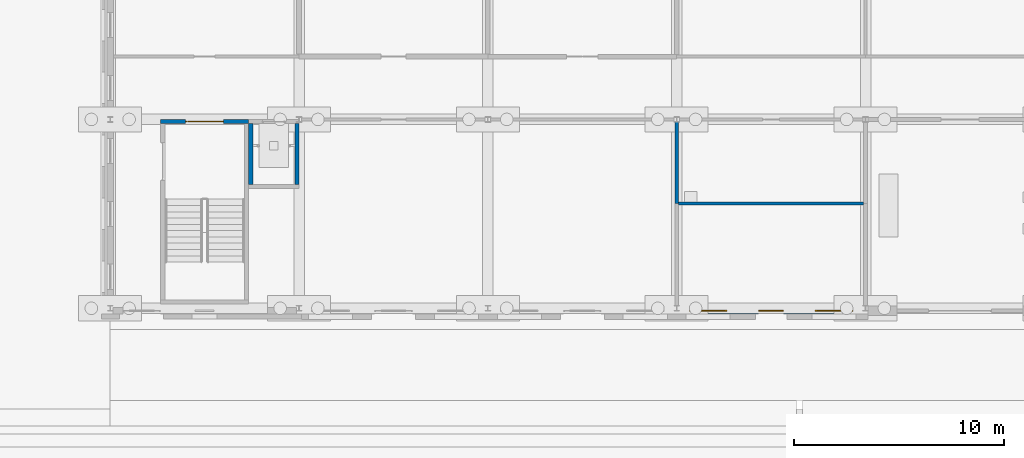
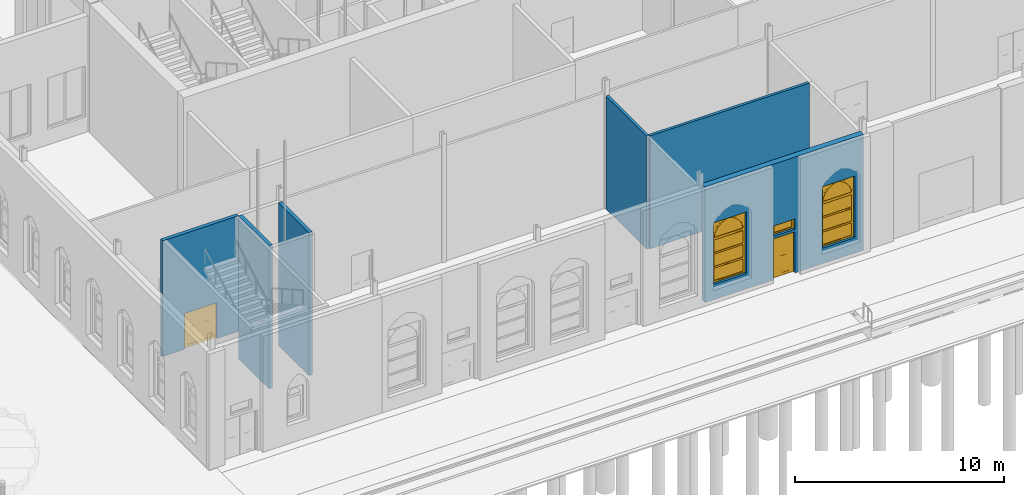
# One storey, part 93 of 250: 6 walls, 3 windows, 2 doors, 5 openings.
"""IFC4 building model written with IfcOpenShell, lengths in metres."""

import ifcopenshell
import ifcopenshell.guid

model = None  # the IFC model being written
_history = None  # IfcOwnerHistory: only IFC2X3 demands one
_inside = {}  # id of a spatial element -> (the spatial element, [elements in it])
_under = {}  # id of a project, library or spatial element -> (it, [spatial elements below it])
_declared = {}  # id of a project -> (the project, [libraries it declares])
_typed = {}  # id of a type object -> (the type object, [elements of that type])
_made_of = {}  # id of a material, layer set ... -> (it, [elements and type objects made of it])


def new_model(schema):
    """Start an empty IFC model of exactly this schema.

    Asked for "IFC4X3", IfcOpenShell would pick the latest addendum, in which some entities
    have other attributes; the version numbers below select the first issue.
    IFC2X3 requires an IfcOwnerHistory on every rooted entity: one is made here for all.
    """
    global model, _history
    if schema == "IFC4X3":
        model = ifcopenshell.file(schema_version=(4, 3, 0, 0))
    else:
        model = ifcopenshell.file(schema=schema)
    _inside.clear()
    _under.clear()
    _declared.clear()
    _typed.clear()
    _made_of.clear()
    _history = None
    if model.schema == "IFC2X3":
        org = make("IfcOrganization", Name="unknown")
        user = make(
            "IfcPersonAndOrganization",
            ThePerson=make("IfcPerson", FamilyName="unknown"),
            TheOrganization=org,
        )
        app = make(
            "IfcApplication",
            ApplicationDeveloper=org,
            Version="unknown",
            ApplicationFullName="unknown",
            ApplicationIdentifier="unknown",
        )
        _history = make(
            "IfcOwnerHistory",
            OwningUser=user,
            OwningApplication=app,
            ChangeAction="ADDED",
            CreationDate=0,
        )
    return model


def make(cls, **values):
    """One entity of the class cls with the attributes given. An attribute that is None is left unset."""
    return model.create_entity(
        cls, **{name: value for name, value in values.items() if value is not None}
    )


def rooted(cls, **values):
    """An entity with a GlobalId (a new one), such as an element, a storey or a relation."""
    return make(cls, GlobalId=ifcopenshell.guid.new(), OwnerHistory=_history, **values)


def si_unit(unit_type, name, prefix=None):
    """IfcSIUnit, for example si_unit("LENGTHUNIT", "METRE", prefix="MILLI")."""
    return make("IfcSIUnit", UnitType=unit_type, Prefix=prefix, Name=name)


def assignment(units):
    """IfcUnitAssignment: the units of a project."""
    return None if units is None else make("IfcUnitAssignment", Units=units)


def point(xyz):
    """IfcCartesianPoint."""
    return None if xyz is None else make("IfcCartesianPoint", Coordinates=xyz)


def direction(xyz):
    """IfcDirection."""
    return None if xyz is None else make("IfcDirection", DirectionRatios=xyz)


def frame(location, z_axis=None, x_axis=None):
    """IfcAxis2Placement3D, a coordinate frame: its origin and axes. An axis left out is left unset."""
    return make(
        "IfcAxis2Placement3D",
        Location=point(location),
        Axis=direction(z_axis),
        RefDirection=direction(x_axis),
    )


def frame_2d(location, x_axis=None):
    """IfcAxis2Placement2D, a coordinate frame in the plane: its origin and x axis."""
    return make(
        "IfcAxis2Placement2D", Location=point(location), RefDirection=direction(x_axis)
    )


def origin():
    """The frame at (0, 0, 0) with its axes left unset."""
    return frame((0.0, 0.0, 0.0))


def place(relative_to, where):
    """IfcLocalPlacement: puts the frame where relative to a parent placement (None: the world)."""
    return make(
        "IfcLocalPlacement", PlacementRelTo=relative_to, RelativePlacement=where
    )


def context(
    kind, dimensions, precision=None, world=None, true_north=None, identifier=None
):
    """IfcGeometricRepresentationContext, for example the 3D "Model" context."""
    return make(
        "IfcGeometricRepresentationContext",
        ContextIdentifier=identifier,
        ContextType=kind,
        CoordinateSpaceDimension=dimensions,
        Precision=precision,
        WorldCoordinateSystem=world,
        TrueNorth=true_north,
    )


def subcontext(parent, identifier, kind, view, scale=None):
    """IfcGeometricRepresentationSubContext, for example "Body" below "Model"."""
    return make(
        "IfcGeometricRepresentationSubContext",
        ContextIdentifier=identifier,
        ContextType=kind,
        ParentContext=parent,
        TargetScale=scale,
        TargetView=view,
    )


def project(units=None, contexts=None):
    """IfcProject with its units and contexts."""
    return rooted(
        "IfcProject",
        Name="project",
        RepresentationContexts=contexts,
        UnitsInContext=assignment(units),
    )


def spatial(cls, under=None, at=None, **own):
    """A site, building, storey or space (cls), placed at a placement, below another one or the project."""
    s = rooted(cls, ObjectPlacement=at, **own)
    if under is not None:
        _under.setdefault(under.id(), (under, []))[1].append(s)
    return s


def polyline(points):
    """IfcPolyline through the points."""
    return make("IfcPolyline", Points=[point(p) for p in points])


def profile(cls, at=None, kind="AREA", **sizes):
    """A parametric profile (cls). Its sizes go by their IFC names, for example OverallWidth=200.0."""
    return make(cls, ProfileType=kind, Position=at, **sizes)


def rectangle(**sizes):
    """IfcRectangleProfileDef."""
    return profile("IfcRectangleProfileDef", **sizes)


def outline(outer, holes=None, kind="AREA"):
    """IfcArbitraryClosedProfileDef: a profile drawn as a closed curve; with holes, ...WithVoids."""
    if holes is None:
        return make("IfcArbitraryClosedProfileDef", ProfileType=kind, OuterCurve=outer)
    return make(
        "IfcArbitraryProfileDefWithVoids",
        ProfileType=kind,
        OuterCurve=outer,
        InnerCurves=holes,
    )


def extrude(swept, where, along, depth):
    """IfcExtrudedAreaSolid: the profile swept, set in the frame where, extruded along a direction by depth."""
    return make(
        "IfcExtrudedAreaSolid",
        SweptArea=swept,
        Position=where,
        ExtrudedDirection=direction(along),
        Depth=depth,
    )


def shape(context_of_items, identifier, shape_type, items):
    """IfcShapeRepresentation: the items that make up one representation, for example the "Body"."""
    return make(
        "IfcShapeRepresentation",
        ContextOfItems=context_of_items,
        RepresentationIdentifier=identifier,
        RepresentationType=shape_type,
        Items=items,
    )


def material(Name=None, Category=None):
    """IfcMaterial."""
    return make("IfcMaterial", Name=Name, Category=Category)


def layer(
    of_material, thickness, ventilated=None, Name=None, Category=None, Priority=None
):
    """IfcMaterialLayer: one layer of a wall or slab, of a material (None: an air gap)."""
    return make(
        "IfcMaterialLayer",
        Material=of_material,
        LayerThickness=thickness,
        IsVentilated=ventilated,
        Name=Name,
        Category=Category,
        Priority=Priority,
    )


def layer_set(layers, Name=None):
    """IfcMaterialLayerSet."""
    return make("IfcMaterialLayerSet", MaterialLayers=layers, LayerSetName=Name)


def made_of(thing, what):
    """Note that an element or type object is made of a material, layer set ...; save() writes the relation."""
    if what is not None:
        _made_of.setdefault(what.id(), (what, []))[1].append(thing)
    return thing


def type_object(cls, material=None, **own):
    """A type object (cls), such as IfcWallType, which elements share."""
    return made_of(rooted(cls, **own), material)


def element(
    cls,
    number,
    at=None,
    inside=None,
    cuts=None,
    type_object=None,
    material=None,
    context=None,
    identifier="Body",
    shape_type=None,
    held_by="IfcProductDefinitionShape",
    body=None,
    shapes=None,
    **own,
):
    """One element of the class cls, such as IfcWall. Its Tag is "e" and its number.

    at: its placement. inside: the storey or other place that contains it. cuts: it is an
    opening in that element (IfcRelVoidsElement). A single representation is given by context,
    identifier, shape_type and body (its items); several are given by shapes. held_by: the class
    of the entity that holds the representations. save() writes the other relations.
    """
    e = rooted(cls, Tag="e%d" % number, ObjectPlacement=at, **own)
    if body is not None:
        shapes = [shape(context, identifier, shape_type, body)]
    if shapes is not None:
        e.Representation = make(held_by, Representations=shapes)
    if inside is not None:
        _inside.setdefault(inside.id(), (inside, []))[1].append(e)
    if cuts is not None:
        rooted(
            "IfcRelVoidsElement", RelatingBuildingElement=cuts, RelatedOpeningElement=e
        )
    if type_object is not None:
        _typed.setdefault(type_object.id(), (type_object, []))[1].append(e)
    return made_of(e, material)


def fill(opening, filler):
    """IfcRelFillsElement: the door or window that sits in an opening."""
    return rooted(
        "IfcRelFillsElement",
        RelatingOpeningElement=opening,
        RelatedBuildingElement=filler,
    )


def aggregate(whole, parts):
    """IfcRelAggregates: a whole, such as a stair, and the parts it consists of."""
    return rooted("IfcRelAggregates", RelatingObject=whole, RelatedObjects=parts)


def save(model, path):
    """Write the relations noted so far, then the file.

    IfcRelAggregates (storeys below a building ...), IfcRelContainedInSpatialStructure (elements
    in a storey), IfcRelDefinesByType, IfcRelAssociatesMaterial and IfcRelDeclares: one each for
    every whole, place, type object, material and project.
    """
    for whole, parts in _under.values():
        aggregate(whole, parts)
    for where, things in _inside.values():
        rooted(
            "IfcRelContainedInSpatialStructure",
            RelatedElements=things,
            RelatingStructure=where,
        )
    for kind, things in _typed.values():
        rooted("IfcRelDefinesByType", RelatedObjects=things, RelatingType=kind)
    for what, things in _made_of.values():
        rooted("IfcRelAssociatesMaterial", RelatedObjects=things, RelatingMaterial=what)
    for by, libraries in _declared.values():
        rooted("IfcRelDeclares", RelatingContext=by, RelatedDefinitions=libraries)
    model.write(path)


model = new_model("IFC4")

# Units and contexts
model_context = context("Model", 3, precision=1e-05, world=origin(), true_north=direction((0.0, 1.0)))
body_context = subcontext(model_context, "Body", "Model", "MODEL_VIEW")
ifc_project = project(units=[si_unit("LENGTHUNIT", "METRE"), si_unit("AREAUNIT", "SQUARE_METRE"), si_unit("VOLUMEUNIT", "CUBIC_METRE"), si_unit("PLANEANGLEUNIT", "RADIAN"), si_unit("MASSUNIT", "GRAM", prefix="KILO")], contexts=[model_context])

# Site, building, storey
site_placement = place(None, origin())
site = spatial("IfcSite", under=ifc_project, at=site_placement, CompositionType="ELEMENT")
building_placement = place(site_placement, origin())
building = spatial("IfcBuilding", under=site, at=building_placement, Name="Baradari Gate Terminus", CompositionType="ELEMENT")
storey_placement = place(building_placement, origin())
storey = spatial("IfcBuildingStorey", under=building, at=storey_placement, Name="L00", CompositionType="ELEMENT", Elevation=0.0)

# Walls
ifc_material_1 = material(Name="Blockwork wall, fire rated", Category="masonry")
ifc_layer_1 = layer(ifc_material_1, 0.199951171875)
ifc_layer_set_1 = layer_set([ifc_layer_1], Name="Blockwork wall, fire rated")
wall_type_1 = type_object("IfcWallType", Name="Lift shaft wall SH-1 200 EI 120", PredefinedType="SOLIDWALL", material=ifc_layer_set_1)
for number, where, z_axis, x_axis, name in (
    (1, (69.699951171875, 14.89990234375, -1.60009765625), (0.0, 0.0, 1.0), (0.0, 1.0, 0.0), "Lift shaft wall LSW1 L00 W"),
    (2, (71.89990234375, 14.89990234375, -1.60009765625), (0.0, 0.0, 1.0), (0.0, 1.0, 0.0), "Lift shaft wall LSW1 L00 E"),
):
    element("IfcWall", number, at=place(storey_placement, frame(where, z_axis=z_axis, x_axis=x_axis)), inside=storey, type_object=wall_type_1, Name=name, PredefinedType="SOLIDWALL", context=body_context, shape_type="SweptSolid", body=[
        extrude(rectangle(XDim=2.900146484375, YDim=0.199951171875, at=frame_2d((1.4501953125, 0.0))), origin(), (0.0, 0.0, 1.0), 8.357177734375),
    ])
ifc_material_2 = material(Name="Blockwork wall, plastered", Category="masonry")
ifc_layer_2 = layer(ifc_material_2, 0.14990234375)
ifc_layer_set_2 = layer_set([ifc_layer_2], Name="Blockwork wall, plastered")
wall_type_2 = type_object("IfcWallType", Name="Partition PT-2 150 EI 60", PredefinedType="PARTITIONING", material=ifc_layer_set_2)
wall_1_placement = place(storey_placement, frame((90.0, 17.869873046875, 0.0), z_axis=(0.0, 0.0, 1.0), x_axis=(0.0, -1.0, 0.0)))
element("IfcWall", 3, at=wall_1_placement, inside=storey, type_object=wall_type_2, Name="PT-2 partition Bicycle Store / Cleaner's Store 2", PredefinedType="PARTITIONING", context=body_context, shape_type="SweptSolid", body=[
    extrude(rectangle(XDim=3.869873046875, YDim=0.14990234375, at=frame_2d((1.93505859375, 0.0))), origin(), (0.0, 0.0, 1.0), 6.60009765625),
])
wall_2_placement = place(storey_placement, frame((90.074951171875, 14.0, 0.0), z_axis=(0.0, 0.0, 1.0), x_axis=(1.0, 0.0, 0.0)))
element("IfcWall", 4, at=wall_2_placement, inside=storey, type_object=wall_type_2, Name="PT-2 partition Station Security Office / Cleaner's Store 2", PredefinedType="PARTITIONING", context=body_context, shape_type="SweptSolid", body=[
    extrude(rectangle(XDim=8.824951171875, YDim=0.14990234375, at=frame_2d((4.41259765625, 0.0))), origin(), (0.0, 0.0, 1.0), 6.60009765625),
])

# Wall, openings, windows, door
ifc_material_3 = material(Name="Sandstone masonry", Category="masonry")
ifc_layer_3 = layer(ifc_material_3, 0.320068359375)
ifc_layer_set_3 = layer_set([ifc_layer_3], Name="Sandstone masonry")
wall_type_3 = type_object("IfcWallType", Name="Sandstone masonry wall WS-3 320", PredefinedType="SOLIDWALL", material=ifc_layer_set_3)
wall_3_placement = place(storey_placement, frame((90.127197265625, 8.880126953125, 0.0), z_axis=(0.0, 0.0, 1.0), x_axis=(1.0, 0.0, 0.0)))
wall_3 = element("IfcWall", 5, at=wall_3_placement, inside=storey, type_object=wall_type_3, Name="south front SS bay 11 L00", PredefinedType="SOLIDWALL", context=body_context, shape_type="SweptSolid", body=[
    extrude(rectangle(XDim=8.74560546875, YDim=0.320068359375, at=frame_2d((4.372802734375, 0.0))), origin(), (0.0, 0.0, 1.0), 6.767333984375),
])
opening_1_placement = place(wall_3_placement, frame((3.772705078125, 0.0, 0.0)))
opening_1 = element("IfcOpeningElement", 6, at=opening_1_placement, cuts=wall_3, Name="Opening D00-048", PredefinedType="OPENING", context=body_context, shape_type="SweptSolid", body=[
    extrude(rectangle(XDim=1.199951171875, YDim=2.39990234375, at=frame_2d((0.60009765625, 1.199951171875))), frame((0.0, 0.169921875, 0.0), z_axis=(0.0, -1.0, 0.0), x_axis=(1.0, 0.0, 0.0)), (0.0, 0.0, 1.0), 0.340087890625),
])
opening_2_placement = place(wall_3_placement, frame((3.772705078125, 0.0, 2.550048828125)))
opening_2 = element("IfcOpeningElement", 7, at=opening_2_placement, cuts=wall_3, Name="Opening W10", PredefinedType="OPENING", context=body_context, shape_type="SweptSolid", body=[
    extrude(rectangle(XDim=1.199951171875, YDim=0.60009765625, at=frame_2d((0.60009765625, 0.300048828125))), frame((0.0, 0.169921875, 0.0), z_axis=(0.0, -1.0, 0.0), x_axis=(1.0, 0.0, 0.0)), (0.0, 0.0, 1.0), 0.340087890625),
])
opening_3_placement = place(wall_3_placement, frame((0.47265625, 0.0, 0.89990234375)))
opening_3 = element("IfcOpeningElement", 8, at=opening_3_placement, cuts=wall_3, Name="Opening W3", PredefinedType="OPENING", context=body_context, shape_type="SweptSolid", body=[
    extrude(rectangle(XDim=1.800048828125, YDim=3.60009765625, at=frame_2d((0.89990234375, 1.800048828125))), frame((0.0, 0.169921875, 0.0), z_axis=(0.0, -1.0, 0.0), x_axis=(1.0, 0.0, 0.0)), (0.0, 0.0, 1.0), 0.340087890625),
])
opening_4_placement = place(wall_3_placement, frame((6.47265625, 0.0, 0.89990234375)))
opening_4 = element("IfcOpeningElement", 9, at=opening_4_placement, cuts=wall_3, Name="Opening W3", PredefinedType="OPENING", context=body_context, shape_type="SweptSolid", body=[
    extrude(rectangle(XDim=1.800048828125, YDim=3.60009765625, at=frame_2d((0.89990234375, 1.800048828125))), frame((0.0, 0.169921875, 0.0), z_axis=(0.0, -1.0, 0.0), x_axis=(1.0, 0.0, 0.0)), (0.0, 0.0, 1.0), 0.340087890625),
])
ifc_material_4 = material(Name="Aluminium 6063-T6", Category="aluminium")
window_type_1 = type_object("IfcWindowType", Name="Door fanlight W10 1200x600", PartitioningType="SINGLE_PANEL", PredefinedType="WINDOW", material=ifc_material_4)
window_1_placement = place(opening_2_placement, origin())
window_1 = element("IfcWindow", 10, at=window_1_placement, inside=storey, type_object=window_type_1, Name="Fanlight over Station Security Office", OverallHeight=0.6, OverallWidth=1.2, PartitioningType="SINGLE_PANEL", PredefinedType="WINDOW", context=body_context, shape_type="SweptSolid", body=[
    extrude(outline(polyline([(0.0, 0.0), (1.199951171875, 0.0), (1.199951171875, 0.60009765625), (0.0, 0.60009765625), (0.0, 0.0)]), holes=[polyline([(0.070068359375, 0.070068359375), (1.1298828125, 0.070068359375), (1.1298828125, 0.530029296875), (0.070068359375, 0.530029296875), (0.070068359375, 0.070068359375)])]), frame((0.0, 0.030029296875, 0.0), z_axis=(0.0, -1.0, 0.0), x_axis=(1.0, 0.0, 0.0)), (0.0, 0.0, 1.0), 0.06005859375),
    extrude(outline(polyline([(0.070068359375, 0.070068359375), (1.1298828125, 0.070068359375), (1.1298828125, 0.530029296875), (0.070068359375, 0.530029296875), (0.070068359375, 0.070068359375)]), holes=[polyline([(0.10009765625, 0.10009765625), (1.099853515625, 0.10009765625), (1.099853515625, 0.5), (0.10009765625, 0.5), (0.10009765625, 0.10009765625)])]), frame((0.0, 0.0224609375, 0.0), z_axis=(0.0, -1.0, 0.0), x_axis=(1.0, 0.0, 0.0)), (0.0, 0.0, 1.0), 0.044921875),
    extrude(rectangle(XDim=0.999755859375, YDim=0.39990234375, at=frame_2d((0.60009765625, 0.300048828125))), frame((0.0, 0.006103515625, 0.0), z_axis=(0.0, -1.0, 0.0), x_axis=(1.0, 0.0, 0.0)), (0.0, 0.0, 1.0), 0.01220703125),
])
fill(opening_2, window_1)
ifc_material_5 = material(Name="Steel S235", Category="steel")
door_type_1 = type_object("IfcDoorType", Name="Service door, steel DT-6 1200x2400", OperationType="SINGLE_SWING_RIGHT", PredefinedType="DOOR", material=ifc_material_5)
door_1_placement = place(opening_1_placement, frame((1.199951171875, 0.0, 0.0), z_axis=(0.0, 0.0, 1.0), x_axis=(-1.0, 0.0, 0.0)))
door_1 = element("IfcDoor", 11, at=door_1_placement, inside=storey, type_object=door_type_1, Name="Exit door Station Security Office", OperationType="SINGLE_SWING_RIGHT", OverallHeight=2.4, OverallWidth=1.2, PredefinedType="DOOR", context=body_context, shape_type="SweptSolid", body=[
    extrude(outline(polyline([(0.0, 0.0), (0.070068359375, 0.0), (0.070068359375, 2.329833984375), (1.1298828125, 2.329833984375), (1.1298828125, 0.0), (1.199951171875, 0.0), (1.199951171875, 2.39990234375), (0.0, 2.39990234375), (0.0, 0.0)])), frame((0.0, 0.02490234375, 0.0), z_axis=(0.0, -1.0, 0.0), x_axis=(1.0, 0.0, 0.0)), (0.0, 0.0, 1.0), 0.050048828125),
    extrude(outline(polyline([(0.073974609375, 0.010009765625), (1.1259765625, 0.010009765625), (1.1259765625, 2.325927734375), (0.073974609375, 2.325927734375), (0.073974609375, 0.010009765625)]), holes=[polyline([(0.194091796875, 0.159912109375), (1.005859375, 0.159912109375), (1.005859375, 1.010009765625), (0.194091796875, 1.010009765625), (0.194091796875, 0.159912109375)]), polyline([(0.449951171875, 1.159912109375), (0.75, 1.159912109375), (0.75, 1.760009765625), (0.449951171875, 1.760009765625), (0.449951171875, 1.159912109375)])]), frame((0.0, 0.017333984375, 0.0), z_axis=(0.0, -1.0, 0.0), x_axis=(1.0, 0.0, 0.0)), (0.0, 0.0, 1.0), 0.034912109375),
    extrude(rectangle(XDim=0.811767578125, YDim=0.85009765625, at=frame_2d((0.60009765625, 0.5849609375))), frame((0.0, 0.008544921875, 0.0), z_axis=(0.0, -1.0, 0.0), x_axis=(1.0, 0.0, 0.0)), (0.0, 0.0, 1.0), 0.017333984375),
    extrude(rectangle(XDim=0.300048828125, YDim=0.60009765625, at=frame_2d((0.60009765625, 1.4599609375))), frame((0.0, 0.005859375, 0.0), z_axis=(0.0, -1.0, 0.0), x_axis=(1.0, 0.0, 0.0)), (0.0, 0.0, 1.0), 0.011962890625),
])
fill(opening_1, door_1)
ifc_material_6 = material(Name="Aluminium 6063-T6", Category="aluminium")
window_type_2 = type_object("IfcWindowType", Name="Tall window, 3-light W3 1800x3600", PartitioningType="TRIPLE_PANEL_HORIZONTAL", PredefinedType="WINDOW", material=ifc_material_6)
window_2_placement = place(opening_3_placement, origin())
window_2 = element("IfcWindow", 12, at=window_2_placement, inside=storey, type_object=window_type_2, Name="Window W3 SS/10", OverallHeight=3.6, OverallWidth=1.8, PartitioningType="TRIPLE_PANEL_HORIZONTAL", PredefinedType="WINDOW", context=body_context, shape_type="SweptSolid", body=[
    extrude(outline(polyline([(0.0, 0.0), (1.800048828125, 0.0), (1.800048828125, 2.5400390625), (1.792724609375, 2.665771484375), (1.7705078125, 2.789794921875), (1.734130859375, 2.910400390625), (1.683837890625, 3.02587890625), (1.620361328125, 3.134765625), (1.544677734375, 3.2353515625), (1.457763671875, 3.326416015625), (1.360595703125, 3.40673828125), (1.2548828125, 3.47509765625), (1.1416015625, 3.530517578125), (1.02294921875, 3.572509765625), (0.89990234375, 3.60009765625), (0.777099609375, 3.572509765625), (0.658447265625, 3.530517578125), (0.545166015625, 3.47509765625), (0.439453125, 3.40673828125), (0.34228515625, 3.326416015625), (0.25537109375, 3.2353515625), (0.1796875, 3.134765625), (0.1162109375, 3.02587890625), (0.06591796875, 2.910400390625), (0.029541015625, 2.789794921875), (0.00732421875, 2.665771484375), (0.0, 2.5400390625), (0.0, 0.0)]), holes=[polyline([(0.070068359375, 0.070068359375), (1.72998046875, 0.070068359375), (1.72998046875, 2.5400390625), (1.72314453125, 2.65673828125), (1.702880859375, 2.771728515625), (1.66943359375, 2.8837890625), (1.623291015625, 2.990966796875), (1.564697265625, 3.09228515625), (1.4951171875, 3.18603515625), (1.414794921875, 3.27099609375), (1.325439453125, 3.34619140625), (1.227783203125, 3.410400390625), (1.12353515625, 3.462890625), (1.013671875, 3.5029296875), (0.89990234375, 3.530029296875), (0.786376953125, 3.5029296875), (0.676513671875, 3.462890625), (0.572265625, 3.410400390625), (0.474609375, 3.34619140625), (0.38525390625, 3.27099609375), (0.304931640625, 3.18603515625), (0.2353515625, 3.09228515625), (0.1767578125, 2.990966796875), (0.130615234375, 2.8837890625), (0.09716796875, 2.771728515625), (0.076904296875, 2.65673828125), (0.070068359375, 2.5400390625), (0.070068359375, 0.070068359375)])]), frame((0.0, 0.030029296875, 0.0), z_axis=(0.0, -1.0, 0.0), x_axis=(1.0, 0.0, 0.0)), (0.0, 0.0, 1.0), 0.06005859375),
    extrude(outline(polyline([(0.0, 2.5400390625), (0.00732421875, 2.665771484375), (0.029541015625, 2.789794921875), (0.06591796875, 2.910400390625), (0.1162109375, 3.02587890625), (0.1796875, 3.134765625), (0.25537109375, 3.2353515625), (0.34228515625, 3.326416015625), (0.439453125, 3.40673828125), (0.545166015625, 3.47509765625), (0.658447265625, 3.530517578125), (0.777099609375, 3.572509765625), (0.89990234375, 3.60009765625), (0.0, 3.60009765625), (0.0, 2.5400390625)])), frame((0.0, 0.028076171875, 0.0), z_axis=(0.0, -1.0, 0.0), x_axis=(1.0, 0.0, 0.0)), (0.0, 0.0, 1.0), 0.05615234375),
    extrude(outline(polyline([(0.89990234375, 3.60009765625), (1.02294921875, 3.572509765625), (1.1416015625, 3.530517578125), (1.2548828125, 3.47509765625), (1.360595703125, 3.40673828125), (1.457763671875, 3.326416015625), (1.544677734375, 3.2353515625), (1.620361328125, 3.134765625), (1.683837890625, 3.02587890625), (1.734130859375, 2.910400390625), (1.7705078125, 2.789794921875), (1.792724609375, 2.665771484375), (1.800048828125, 2.5400390625), (1.800048828125, 3.60009765625), (0.89990234375, 3.60009765625)])), frame((0.0, 0.027099609375, 0.0), z_axis=(0.0, -1.0, 0.0), x_axis=(1.0, 0.0, 0.0)), (0.0, 0.0, 1.0), 0.05419921875),
    extrude(outline(polyline([(1.7275390625, 2.580078125), (0.072509765625, 2.580078125), (0.070068359375, 2.5400390625), (0.070068359375, 2.5), (1.72998046875, 2.5), (1.72998046875, 2.5400390625), (1.7275390625, 2.580078125)])), frame((0.0, 0.02099609375, 0.0), z_axis=(0.0, -1.0, 0.0), x_axis=(1.0, 0.0, 0.0)), (0.0, 0.0, 1.0), 0.0419921875),
    extrude(rectangle(XDim=1.659912109375, YDim=0.0400390625, at=frame_2d((0.89990234375, 0.873291015625))), frame((0.0, 0.021484375, 0.0), z_axis=(0.0, -1.0, 0.0), x_axis=(1.0, 0.0, 0.0)), (0.0, 0.0, 1.0), 0.04296875),
    extrude(rectangle(XDim=1.659912109375, YDim=0.0400390625, at=frame_2d((0.89990234375, 1.69677734375))), frame((0.0, 0.021484375, 0.0), z_axis=(0.0, -1.0, 0.0), x_axis=(1.0, 0.0, 0.0)), (0.0, 0.0, 1.0), 0.04296875),
    extrude(outline(polyline([(0.070068359375, 0.070068359375), (1.72998046875, 0.070068359375), (1.72998046875, 0.853271484375), (0.070068359375, 0.853271484375), (0.070068359375, 0.070068359375)]), holes=[polyline([(0.10009765625, 0.10009765625), (1.699951171875, 0.10009765625), (1.699951171875, 0.8232421875), (0.10009765625, 0.8232421875), (0.10009765625, 0.10009765625)])]), frame((0.0, 0.0224609375, 0.0), z_axis=(0.0, -1.0, 0.0), x_axis=(1.0, 0.0, 0.0)), (0.0, 0.0, 1.0), 0.044921875),
    extrude(rectangle(XDim=1.599853515625, YDim=0.72314453125, at=frame_2d((0.89990234375, 0.461669921875))), frame((0.0, 0.006103515625, 0.0), z_axis=(0.0, -1.0, 0.0), x_axis=(1.0, 0.0, 0.0)), (0.0, 0.0, 1.0), 0.01220703125),
    extrude(outline(polyline([(0.070068359375, 0.893310546875), (1.72998046875, 0.893310546875), (1.72998046875, 1.6767578125), (0.070068359375, 1.6767578125), (0.070068359375, 0.893310546875)]), holes=[polyline([(0.10009765625, 0.92333984375), (1.699951171875, 0.92333984375), (1.699951171875, 1.646728515625), (0.10009765625, 1.646728515625), (0.10009765625, 0.92333984375)])]), frame((0.0, 0.0224609375, 0.0), z_axis=(0.0, -1.0, 0.0), x_axis=(1.0, 0.0, 0.0)), (0.0, 0.0, 1.0), 0.044921875),
    extrude(rectangle(XDim=1.599853515625, YDim=0.723388671875, at=frame_2d((0.89990234375, 1.28515625))), frame((0.0, 0.006103515625, 0.0), z_axis=(0.0, -1.0, 0.0), x_axis=(1.0, 0.0, 0.0)), (0.0, 0.0, 1.0), 0.01220703125),
    extrude(outline(polyline([(0.070068359375, 1.716796875), (1.72998046875, 1.716796875), (1.72998046875, 2.5), (0.070068359375, 2.5), (0.070068359375, 1.716796875)]), holes=[polyline([(0.10009765625, 1.746826171875), (1.699951171875, 1.746826171875), (1.699951171875, 2.469970703125), (0.10009765625, 2.469970703125), (0.10009765625, 1.746826171875)])]), frame((0.0, 0.0224609375, 0.0), z_axis=(0.0, -1.0, 0.0), x_axis=(1.0, 0.0, 0.0)), (0.0, 0.0, 1.0), 0.044921875),
    extrude(rectangle(XDim=1.599853515625, YDim=0.72314453125, at=frame_2d((0.89990234375, 2.1083984375))), frame((0.0, 0.006103515625, 0.0), z_axis=(0.0, -1.0, 0.0), x_axis=(1.0, 0.0, 0.0)), (0.0, 0.0, 1.0), 0.01220703125),
    extrude(outline(polyline([(0.072509765625, 2.580078125), (1.7275390625, 2.580078125), (1.72314453125, 2.65673828125), (1.702880859375, 2.771728515625), (1.66943359375, 2.8837890625), (1.623291015625, 2.990966796875), (1.564697265625, 3.09228515625), (1.4951171875, 3.18603515625), (1.414794921875, 3.27099609375), (1.325439453125, 3.34619140625), (1.227783203125, 3.410400390625), (1.12353515625, 3.462890625), (1.013671875, 3.5029296875), (0.89990234375, 3.530029296875), (0.786376953125, 3.5029296875), (0.676513671875, 3.462890625), (0.572265625, 3.410400390625), (0.474609375, 3.34619140625), (0.38525390625, 3.27099609375), (0.304931640625, 3.18603515625), (0.2353515625, 3.09228515625), (0.1767578125, 2.990966796875), (0.130615234375, 2.8837890625), (0.09716796875, 2.771728515625), (0.076904296875, 2.65673828125), (0.072509765625, 2.580078125)]), holes=[polyline([(0.11181640625, 2.652587890625), (0.13134765625, 2.763671875), (0.16357421875, 2.871826171875), (0.2080078125, 2.975341796875), (0.2646484375, 3.072998046875), (0.331787109375, 3.16357421875), (0.409423828125, 3.24560546875), (0.49560546875, 3.318115234375), (0.58984375, 3.380126953125), (0.6904296875, 3.4306640625), (0.79638671875, 3.46923828125), (0.89990234375, 3.494140625), (1.003662109375, 3.46923828125), (1.109619140625, 3.4306640625), (1.210205078125, 3.380126953125), (1.304443359375, 3.318115234375), (1.390625, 3.24560546875), (1.46826171875, 3.16357421875), (1.535400390625, 3.072998046875), (1.592041015625, 2.975341796875), (1.636474609375, 2.871826171875), (1.668701171875, 2.763671875), (1.688232421875, 2.652587890625), (1.6904296875, 2.614990234375), (0.109619140625, 2.614990234375), (0.11181640625, 2.652587890625)])]), frame((0.0, 0.0224609375, 0.0), z_axis=(0.0, -1.0, 0.0), x_axis=(1.0, 0.0, 0.0)), (0.0, 0.0, 1.0), 0.044921875),
    extrude(outline(polyline([(0.109619140625, 2.614990234375), (1.6904296875, 2.614990234375), (1.688232421875, 2.652587890625), (1.668701171875, 2.763671875), (1.636474609375, 2.871826171875), (1.592041015625, 2.975341796875), (1.535400390625, 3.072998046875), (1.46826171875, 3.16357421875), (1.390625, 3.24560546875), (1.304443359375, 3.318115234375), (1.210205078125, 3.380126953125), (1.109619140625, 3.4306640625), (1.003662109375, 3.46923828125), (0.89990234375, 3.494140625), (0.79638671875, 3.46923828125), (0.6904296875, 3.4306640625), (0.58984375, 3.380126953125), (0.49560546875, 3.318115234375), (0.409423828125, 3.24560546875), (0.331787109375, 3.16357421875), (0.2646484375, 3.072998046875), (0.2080078125, 2.975341796875), (0.16357421875, 2.871826171875), (0.13134765625, 2.763671875), (0.11181640625, 2.652587890625), (0.109619140625, 2.614990234375)])), frame((0.0, 0.006103515625, 0.0), z_axis=(0.0, -1.0, 0.0), x_axis=(1.0, 0.0, 0.0)), (0.0, 0.0, 1.0), 0.01220703125),
])
fill(opening_3, window_2)
window_3_placement = place(opening_4_placement, origin())
window_3 = element("IfcWindow", 13, at=window_3_placement, inside=storey, type_object=window_type_2, Name="Window W3 SS/10", OverallHeight=3.6, OverallWidth=1.8, PartitioningType="TRIPLE_PANEL_HORIZONTAL", PredefinedType="WINDOW", context=body_context, shape_type="SweptSolid", body=[
    extrude(outline(polyline([(0.0, 0.0), (1.800048828125, 0.0), (1.800048828125, 2.5400390625), (1.792724609375, 2.665771484375), (1.7705078125, 2.789794921875), (1.734130859375, 2.910400390625), (1.683837890625, 3.02587890625), (1.620361328125, 3.134765625), (1.544677734375, 3.2353515625), (1.457763671875, 3.326416015625), (1.360595703125, 3.40673828125), (1.2548828125, 3.47509765625), (1.1416015625, 3.530517578125), (1.02294921875, 3.572509765625), (0.89990234375, 3.60009765625), (0.777099609375, 3.572509765625), (0.658447265625, 3.530517578125), (0.545166015625, 3.47509765625), (0.439453125, 3.40673828125), (0.34228515625, 3.326416015625), (0.25537109375, 3.2353515625), (0.1796875, 3.134765625), (0.1162109375, 3.02587890625), (0.06591796875, 2.910400390625), (0.029541015625, 2.789794921875), (0.00732421875, 2.665771484375), (0.0, 2.5400390625), (0.0, 0.0)]), holes=[polyline([(0.070068359375, 0.070068359375), (1.72998046875, 0.070068359375), (1.72998046875, 2.5400390625), (1.72314453125, 2.65673828125), (1.702880859375, 2.771728515625), (1.66943359375, 2.8837890625), (1.623291015625, 2.990966796875), (1.564697265625, 3.09228515625), (1.4951171875, 3.18603515625), (1.414794921875, 3.27099609375), (1.325439453125, 3.34619140625), (1.227783203125, 3.410400390625), (1.12353515625, 3.462890625), (1.013671875, 3.5029296875), (0.89990234375, 3.530029296875), (0.786376953125, 3.5029296875), (0.676513671875, 3.462890625), (0.572265625, 3.410400390625), (0.474609375, 3.34619140625), (0.38525390625, 3.27099609375), (0.304931640625, 3.18603515625), (0.2353515625, 3.09228515625), (0.1767578125, 2.990966796875), (0.130615234375, 2.8837890625), (0.09716796875, 2.771728515625), (0.076904296875, 2.65673828125), (0.070068359375, 2.5400390625), (0.070068359375, 0.070068359375)])]), frame((0.0, 0.030029296875, 0.0), z_axis=(0.0, -1.0, 0.0), x_axis=(1.0, 0.0, 0.0)), (0.0, 0.0, 1.0), 0.06005859375),
    extrude(outline(polyline([(0.0, 2.5400390625), (0.00732421875, 2.665771484375), (0.029541015625, 2.789794921875), (0.06591796875, 2.910400390625), (0.1162109375, 3.02587890625), (0.1796875, 3.134765625), (0.25537109375, 3.2353515625), (0.34228515625, 3.326416015625), (0.439453125, 3.40673828125), (0.545166015625, 3.47509765625), (0.658447265625, 3.530517578125), (0.777099609375, 3.572509765625), (0.89990234375, 3.60009765625), (0.0, 3.60009765625), (0.0, 2.5400390625)])), frame((0.0, 0.028076171875, 0.0), z_axis=(0.0, -1.0, 0.0), x_axis=(1.0, 0.0, 0.0)), (0.0, 0.0, 1.0), 0.05615234375),
    extrude(outline(polyline([(0.89990234375, 3.60009765625), (1.02294921875, 3.572509765625), (1.1416015625, 3.530517578125), (1.2548828125, 3.47509765625), (1.360595703125, 3.40673828125), (1.457763671875, 3.326416015625), (1.544677734375, 3.2353515625), (1.620361328125, 3.134765625), (1.683837890625, 3.02587890625), (1.734130859375, 2.910400390625), (1.7705078125, 2.789794921875), (1.792724609375, 2.665771484375), (1.800048828125, 2.5400390625), (1.800048828125, 3.60009765625), (0.89990234375, 3.60009765625)])), frame((0.0, 0.027099609375, 0.0), z_axis=(0.0, -1.0, 0.0), x_axis=(1.0, 0.0, 0.0)), (0.0, 0.0, 1.0), 0.05419921875),
    extrude(outline(polyline([(1.7275390625, 2.580078125), (0.072509765625, 2.580078125), (0.070068359375, 2.5400390625), (0.070068359375, 2.5), (1.72998046875, 2.5), (1.72998046875, 2.5400390625), (1.7275390625, 2.580078125)])), frame((0.0, 0.02099609375, 0.0), z_axis=(0.0, -1.0, 0.0), x_axis=(1.0, 0.0, 0.0)), (0.0, 0.0, 1.0), 0.0419921875),
    extrude(rectangle(XDim=1.659912109375, YDim=0.0400390625, at=frame_2d((0.89990234375, 0.873291015625))), frame((0.0, 0.021484375, 0.0), z_axis=(0.0, -1.0, 0.0), x_axis=(1.0, 0.0, 0.0)), (0.0, 0.0, 1.0), 0.04296875),
    extrude(rectangle(XDim=1.659912109375, YDim=0.0400390625, at=frame_2d((0.89990234375, 1.69677734375))), frame((0.0, 0.021484375, 0.0), z_axis=(0.0, -1.0, 0.0), x_axis=(1.0, 0.0, 0.0)), (0.0, 0.0, 1.0), 0.04296875),
    extrude(outline(polyline([(0.070068359375, 0.070068359375), (1.72998046875, 0.070068359375), (1.72998046875, 0.853271484375), (0.070068359375, 0.853271484375), (0.070068359375, 0.070068359375)]), holes=[polyline([(0.10009765625, 0.10009765625), (1.699951171875, 0.10009765625), (1.699951171875, 0.8232421875), (0.10009765625, 0.8232421875), (0.10009765625, 0.10009765625)])]), frame((0.0, 0.0224609375, 0.0), z_axis=(0.0, -1.0, 0.0), x_axis=(1.0, 0.0, 0.0)), (0.0, 0.0, 1.0), 0.044921875),
    extrude(rectangle(XDim=1.599853515625, YDim=0.72314453125, at=frame_2d((0.89990234375, 0.461669921875))), frame((0.0, 0.006103515625, 0.0), z_axis=(0.0, -1.0, 0.0), x_axis=(1.0, 0.0, 0.0)), (0.0, 0.0, 1.0), 0.01220703125),
    extrude(outline(polyline([(0.070068359375, 0.893310546875), (1.72998046875, 0.893310546875), (1.72998046875, 1.6767578125), (0.070068359375, 1.6767578125), (0.070068359375, 0.893310546875)]), holes=[polyline([(0.10009765625, 0.92333984375), (1.699951171875, 0.92333984375), (1.699951171875, 1.646728515625), (0.10009765625, 1.646728515625), (0.10009765625, 0.92333984375)])]), frame((0.0, 0.0224609375, 0.0), z_axis=(0.0, -1.0, 0.0), x_axis=(1.0, 0.0, 0.0)), (0.0, 0.0, 1.0), 0.044921875),
    extrude(rectangle(XDim=1.599853515625, YDim=0.723388671875, at=frame_2d((0.89990234375, 1.28515625))), frame((0.0, 0.006103515625, 0.0), z_axis=(0.0, -1.0, 0.0), x_axis=(1.0, 0.0, 0.0)), (0.0, 0.0, 1.0), 0.01220703125),
    extrude(outline(polyline([(0.070068359375, 1.716796875), (1.72998046875, 1.716796875), (1.72998046875, 2.5), (0.070068359375, 2.5), (0.070068359375, 1.716796875)]), holes=[polyline([(0.10009765625, 1.746826171875), (1.699951171875, 1.746826171875), (1.699951171875, 2.469970703125), (0.10009765625, 2.469970703125), (0.10009765625, 1.746826171875)])]), frame((0.0, 0.0224609375, 0.0), z_axis=(0.0, -1.0, 0.0), x_axis=(1.0, 0.0, 0.0)), (0.0, 0.0, 1.0), 0.044921875),
    extrude(rectangle(XDim=1.599853515625, YDim=0.72314453125, at=frame_2d((0.89990234375, 2.1083984375))), frame((0.0, 0.006103515625, 0.0), z_axis=(0.0, -1.0, 0.0), x_axis=(1.0, 0.0, 0.0)), (0.0, 0.0, 1.0), 0.01220703125),
    extrude(outline(polyline([(0.072509765625, 2.580078125), (1.7275390625, 2.580078125), (1.72314453125, 2.65673828125), (1.702880859375, 2.771728515625), (1.66943359375, 2.8837890625), (1.623291015625, 2.990966796875), (1.564697265625, 3.09228515625), (1.4951171875, 3.18603515625), (1.414794921875, 3.27099609375), (1.325439453125, 3.34619140625), (1.227783203125, 3.410400390625), (1.12353515625, 3.462890625), (1.013671875, 3.5029296875), (0.89990234375, 3.530029296875), (0.786376953125, 3.5029296875), (0.676513671875, 3.462890625), (0.572265625, 3.410400390625), (0.474609375, 3.34619140625), (0.38525390625, 3.27099609375), (0.304931640625, 3.18603515625), (0.2353515625, 3.09228515625), (0.1767578125, 2.990966796875), (0.130615234375, 2.8837890625), (0.09716796875, 2.771728515625), (0.076904296875, 2.65673828125), (0.072509765625, 2.580078125)]), holes=[polyline([(0.11181640625, 2.652587890625), (0.13134765625, 2.763671875), (0.16357421875, 2.871826171875), (0.2080078125, 2.975341796875), (0.2646484375, 3.072998046875), (0.331787109375, 3.16357421875), (0.409423828125, 3.24560546875), (0.49560546875, 3.318115234375), (0.58984375, 3.380126953125), (0.6904296875, 3.4306640625), (0.79638671875, 3.46923828125), (0.89990234375, 3.494140625), (1.003662109375, 3.46923828125), (1.109619140625, 3.4306640625), (1.210205078125, 3.380126953125), (1.304443359375, 3.318115234375), (1.390625, 3.24560546875), (1.46826171875, 3.16357421875), (1.535400390625, 3.072998046875), (1.592041015625, 2.975341796875), (1.636474609375, 2.871826171875), (1.668701171875, 2.763671875), (1.688232421875, 2.652587890625), (1.6904296875, 2.614990234375), (0.109619140625, 2.614990234375), (0.11181640625, 2.652587890625)])]), frame((0.0, 0.0224609375, 0.0), z_axis=(0.0, -1.0, 0.0), x_axis=(1.0, 0.0, 0.0)), (0.0, 0.0, 1.0), 0.044921875),
    extrude(outline(polyline([(0.109619140625, 2.614990234375), (1.6904296875, 2.614990234375), (1.688232421875, 2.652587890625), (1.668701171875, 2.763671875), (1.636474609375, 2.871826171875), (1.592041015625, 2.975341796875), (1.535400390625, 3.072998046875), (1.46826171875, 3.16357421875), (1.390625, 3.24560546875), (1.304443359375, 3.318115234375), (1.210205078125, 3.380126953125), (1.109619140625, 3.4306640625), (1.003662109375, 3.46923828125), (0.89990234375, 3.494140625), (0.79638671875, 3.46923828125), (0.6904296875, 3.4306640625), (0.58984375, 3.380126953125), (0.49560546875, 3.318115234375), (0.409423828125, 3.24560546875), (0.331787109375, 3.16357421875), (0.2646484375, 3.072998046875), (0.2080078125, 2.975341796875), (0.16357421875, 2.871826171875), (0.13134765625, 2.763671875), (0.11181640625, 2.652587890625), (0.109619140625, 2.614990234375)])), frame((0.0, 0.006103515625, 0.0), z_axis=(0.0, -1.0, 0.0), x_axis=(1.0, 0.0, 0.0)), (0.0, 0.0, 1.0), 0.01220703125),
])
fill(opening_4, window_3)

# Wall, opening, door
ifc_material_7 = material(Name="Concrete C40/50", Category="concrete")
ifc_layer_4 = layer(ifc_material_7, 0.199951171875)
ifc_layer_set_4 = layer_set([ifc_layer_4], Name="Concrete C40/50")
wall_type_4 = type_object("IfcWallType", Name="Stair enclosure wall SE-5 200 EI 120", PredefinedType="SOLIDWALL", material=ifc_layer_set_4)
wall_4_placement = place(storey_placement, frame((65.39990234375, 17.89990234375, 0.0), z_axis=(0.0, 0.0, 1.0), x_axis=(1.0, 0.0, 0.0)))
wall_4 = element("IfcWall", 14, at=wall_4_placement, inside=storey, type_object=wall_type_4, Name="Stair enclosure wall SE-5 ST-SW1 L00 N", PredefinedType="SOLIDWALL", context=body_context, shape_type="SweptSolid", body=[
    extrude(rectangle(XDim=4.2001953125, YDim=0.199951171875, at=frame_2d((2.10009765625, 0.0))), origin(), (0.0, 0.0, 1.0), 6.757080078125),
])
opening_5_placement = place(wall_4_placement, frame((1.199951171875, 0.0, 0.0)))
opening_5 = element("IfcOpeningElement", 15, at=opening_5_placement, cuts=wall_4, Name="Opening D00-149", PredefinedType="OPENING", context=body_context, shape_type="SweptSolid", body=[
    extrude(rectangle(XDim=1.800048828125, YDim=2.10009765625, at=frame_2d((0.89990234375, 1.050048828125))), frame((0.0, 0.10986328125, 0.0), z_axis=(0.0, -1.0, 0.0), x_axis=(1.0, 0.0, 0.0)), (0.0, 0.0, 1.0), 0.219970703125),
])
ifc_material_8 = material(Name="Steel S275", Category="steel")
door_type_2 = type_object("IfcDoorType", Name="Fire door FI-1800-FD90S 1800x2100 FD90S", OperationType="DOUBLE_DOOR_SINGLE_SWING", PredefinedType="DOOR", material=ifc_material_8)
door_2_placement = place(opening_5_placement, frame((1.800048828125, 0.0, 0.0), z_axis=(0.0, 0.0, 1.0), x_axis=(-1.0, 0.0, 0.0)))
door_2 = element("IfcDoor", 16, at=door_2_placement, inside=storey, type_object=door_type_2, Name="Door Stair (South Wing) 1", OperationType="DOUBLE_DOOR_SINGLE_SWING", OverallHeight=2.1, OverallWidth=1.8, PredefinedType="DOOR", context=body_context, shape_type="SweptSolid", body=[
    extrude(outline(polyline([(0.0, 0.0), (0.070068359375, 0.0), (0.070068359375, 2.030029296875), (1.72998046875, 2.030029296875), (1.72998046875, 0.0), (1.800048828125, 0.0), (1.800048828125, 2.10009765625), (0.0, 2.10009765625), (0.0, 0.0)])), frame((0.0, 0.02490234375, 0.0), z_axis=(0.0, -1.0, 0.0), x_axis=(1.0, 0.0, 0.0)), (0.0, 0.0, 1.0), 0.050048828125),
    extrude(outline(polyline([(0.073974609375, 0.010009765625), (0.89697265625, 0.010009765625), (0.89697265625, 2.026123046875), (0.073974609375, 2.026123046875), (0.073974609375, 0.010009765625)]), holes=[polyline([(0.194091796875, 0.159912109375), (0.77685546875, 0.159912109375), (0.77685546875, 1.010009765625), (0.194091796875, 1.010009765625), (0.194091796875, 0.159912109375)]), polyline([(0.33544921875, 1.159912109375), (0.635498046875, 1.159912109375), (0.635498046875, 1.760009765625), (0.33544921875, 1.760009765625), (0.33544921875, 1.159912109375)])]), frame((0.0, 0.017333984375, 0.0), z_axis=(0.0, -1.0, 0.0), x_axis=(1.0, 0.0, 0.0)), (0.0, 0.0, 1.0), 0.034912109375),
    extrude(rectangle(XDim=0.582763671875, YDim=0.85009765625, at=frame_2d((0.4853515625, 0.5849609375))), frame((0.0, 0.008544921875, 0.0), z_axis=(0.0, -1.0, 0.0), x_axis=(1.0, 0.0, 0.0)), (0.0, 0.0, 1.0), 0.017333984375),
    extrude(rectangle(XDim=0.300048828125, YDim=0.60009765625, at=frame_2d((0.4853515625, 1.4599609375))), frame((0.0, 0.005859375, 0.0), z_axis=(0.0, -1.0, 0.0), x_axis=(1.0, 0.0, 0.0)), (0.0, 0.0, 1.0), 0.011962890625),
    extrude(outline(polyline([(0.903076171875, 0.010009765625), (1.72607421875, 0.010009765625), (1.72607421875, 2.026123046875), (0.903076171875, 2.026123046875), (0.903076171875, 0.010009765625)]), holes=[polyline([(1.023193359375, 0.159912109375), (1.60595703125, 0.159912109375), (1.60595703125, 1.010009765625), (1.023193359375, 1.010009765625), (1.023193359375, 0.159912109375)]), polyline([(1.16455078125, 1.159912109375), (1.464599609375, 1.159912109375), (1.464599609375, 1.760009765625), (1.16455078125, 1.760009765625), (1.16455078125, 1.159912109375)])]), frame((0.0, 0.017333984375, 0.0), z_axis=(0.0, -1.0, 0.0), x_axis=(1.0, 0.0, 0.0)), (0.0, 0.0, 1.0), 0.034912109375),
    extrude(rectangle(XDim=0.582763671875, YDim=0.85009765625, at=frame_2d((1.314453125, 0.5849609375))), frame((0.0, 0.008544921875, 0.0), z_axis=(0.0, -1.0, 0.0), x_axis=(1.0, 0.0, 0.0)), (0.0, 0.0, 1.0), 0.017333984375),
    extrude(rectangle(XDim=0.300048828125, YDim=0.60009765625, at=frame_2d((1.314453125, 1.4599609375))), frame((0.0, 0.005859375, 0.0), z_axis=(0.0, -1.0, 0.0), x_axis=(1.0, 0.0, 0.0)), (0.0, 0.0, 1.0), 0.011962890625),
])
fill(opening_5, door_2)

save(model, "model.ifc")
